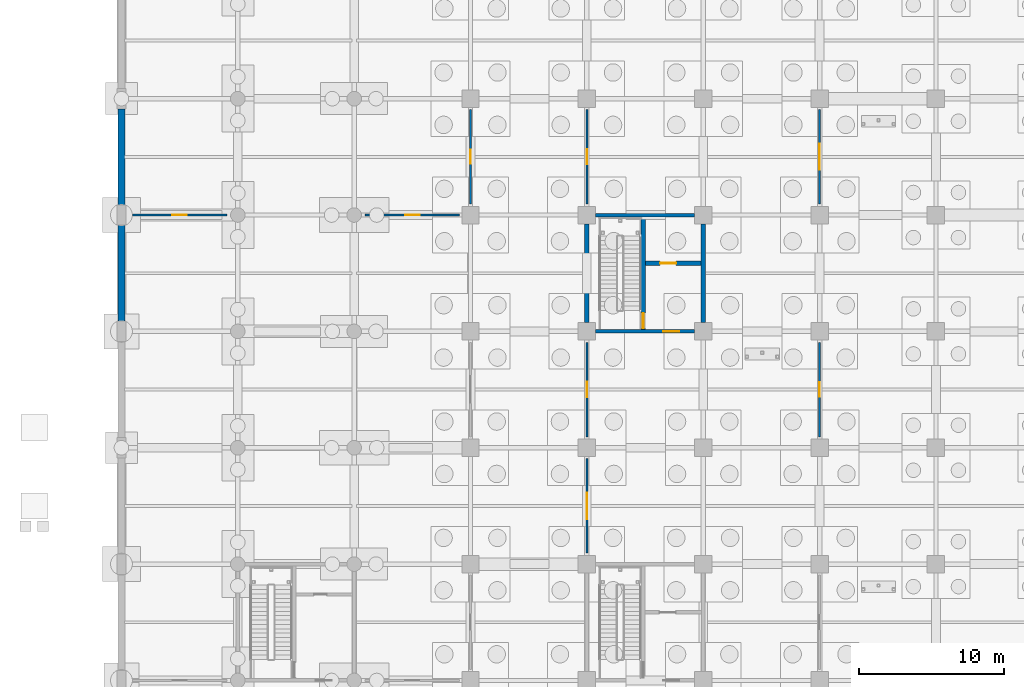
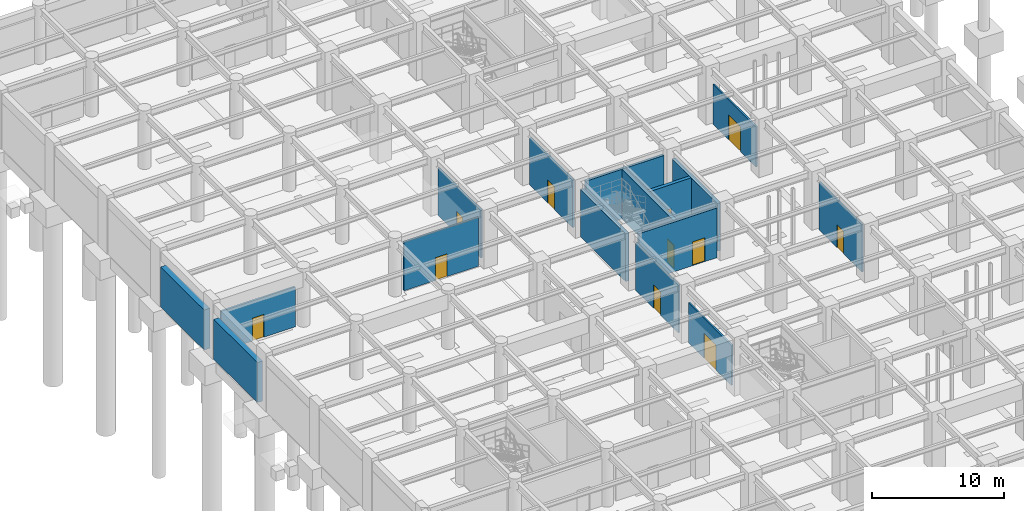
# One storey, part 72 of 97: 16 walls, 11 doors, 11 openings.
"""IFC4 building model written with IfcOpenShell, lengths in metres."""

from ifc_helpers import new_model, si_unit, direction, frame, frame_2d, origin, place, context, subcontext, project, spatial, rectangle, extrude, material, layer, layer_set, type_object, element, fill, save


model = new_model("IFC4")

# Units and contexts
model_context = context("Model", 3, precision=1e-05, world=origin(), true_north=direction((0.0, 1.0)))
body_context = subcontext(model_context, "Body", "Model", "MODEL_VIEW")
ifc_project = project(units=[si_unit("LENGTHUNIT", "METRE"), si_unit("AREAUNIT", "SQUARE_METRE"), si_unit("VOLUMEUNIT", "CUBIC_METRE"), si_unit("PLANEANGLEUNIT", "RADIAN"), si_unit("MASSUNIT", "GRAM", prefix="KILO")], contexts=[model_context])

# Site, building, storey
site_placement = place(None, origin())
site = spatial("IfcSite", under=ifc_project, at=site_placement, CompositionType="ELEMENT")
building_placement = place(site_placement, origin())
building = spatial("IfcBuilding", under=site, at=building_placement, Name="Haebicheon Civic Stadium", CompositionType="ELEMENT")
storey_placement = place(building_placement, frame((0.0, 0.0, -5.39990234375)))
storey = spatial("IfcBuildingStorey", under=building, at=storey_placement, Name="B1", CompositionType="ELEMENT", Elevation=-5.39990234375)

# Wall, opening, door
ifc_material_1 = material(Name="Concrete C40/50", Category="concrete")
ifc_layer_1 = layer(ifc_material_1, 0.239990234375, Name="Concrete C40/50")
ifc_layer_set_1 = layer_set([ifc_layer_1], Name="Concrete C40/50")
wall_type_1 = type_object("IfcWallType", Name="CW-SHR-240", PredefinedType="SHEAR", material=ifc_layer_set_1)
wall_1_placement = place(storey_placement, frame((32.60009765625, 104.0, 0.0), z_axis=(0.0, 0.0, 1.0), x_axis=(1.0, 0.0, 0.0)))
wall_1 = element("IfcWall", 1, at=wall_1_placement, inside=storey, type_object=wall_type_1, material=ifc_layer_set_1, Name="KC-04 B1 south core shear wall", PredefinedType="SHEAR", context=body_context, shape_type="SweptSolid", body=[
    extrude(rectangle(XDim=6.7998046875, YDim=0.239990234375, at=frame_2d((3.39990234375, 0.0))), origin(), (0.0, 0.0, 1.0), 4.58984375),
])
opening_1_placement = place(wall_1_placement, frame((4.64990234375, 0.0, 0.0)))
opening_1 = element("IfcOpeningElement", 2, at=opening_1_placement, cuts=wall_1, Name="Opening D-B1-KC-04-LOB", PredefinedType="OPENING", context=body_context, shape_type="SweptSolid", body=[
    extrude(rectangle(XDim=1.10009765625, YDim=2.199951171875, at=frame_2d((0.550048828125, 1.10009765625))), frame((0.0, 0.1298828125, 0.0), z_axis=(0.0, -1.0, 0.0), x_axis=(1.0, 0.0, 0.0)), (0.0, 0.0, 1.0), 0.260009765625),
])
ifc_material_2 = material(Name="Galvanised painted steel SM355", Category="steel")
door_type_1 = type_object("IfcDoorType", Name="ID-FD-1100", OperationType="NOTDEFINED", PredefinedType="DOOR", material=ifc_material_2)
door_1_placement = place(opening_1_placement, origin())
door_1 = element("IfcDoor", 3, at=door_1_placement, inside=storey, type_object=door_type_1, material=ifc_material_2, Name="B1 KC-04 lobby fire door", OperationType="SINGLE_SWING_RIGHT", OverallHeight=2.199951171875, OverallWidth=1.10009765625, PredefinedType="DOOR", context=body_context, shape_type="SweptSolid", body=[
    extrude(rectangle(XDim=1.10009765625, YDim=2.199951171875, at=frame_2d((0.550048828125, 1.10009765625))), frame((0.0, 0.02490234375, 0.0), z_axis=(0.0, -1.0, 0.0), x_axis=(1.0, 0.0, 0.0)), (0.0, 0.0, 1.0), 0.050048828125),
])
fill(opening_1, door_1)

# Walls
wall_2_placement = place(storey_placement, frame((32.60009765625, 112.0, 0.0), z_axis=(0.0, 0.0, 1.0), x_axis=(1.0, 0.0, 0.0)))
element("IfcWall", 4, at=wall_2_placement, inside=storey, type_object=wall_type_1, material=ifc_layer_set_1, Name="KC-04 B1 north core shear wall", PredefinedType="SHEAR", context=body_context, shape_type="SweptSolid", body=[
    extrude(rectangle(XDim=6.7998046875, YDim=0.239990234375, at=frame_2d((3.39990234375, 0.0))), origin(), (0.0, 0.0, 1.0), 4.58984375),
])
ifc_material_3 = material(Name="Concrete C40/50", Category="concrete")
ifc_layer_2 = layer(ifc_material_3, 0.300048828125, Name="Concrete C40/50")
ifc_layer_set_2 = layer_set([ifc_layer_2], Name="Concrete C40/50")
wall_type_2 = type_object("IfcWallType", Name="CW-SHR-300", PredefinedType="SHEAR", material=ifc_layer_set_2)
for number, where, z_axis, x_axis, name in (
    (5, (32.0, 104.60009765625, 0.0), (0.0, 0.0, 1.0), (0.0, 1.0, 0.0), "KC-04 B1 west core shear wall"),
    (6, (40.0, 104.60009765625, 0.0), (0.0, 0.0, 1.0), (0.0, 1.0, 0.0), "KC-04 B1 east core shear wall"),
):
    element("IfcWall", number, at=place(storey_placement, frame(where, z_axis=z_axis, x_axis=x_axis)), inside=storey, type_object=wall_type_2, material=ifc_layer_set_2, Name=name, PredefinedType="SHEAR", context=body_context, shape_type="SweptSolid", body=[
        extrude(rectangle(XDim=6.7998046875, YDim=0.300048828125, at=frame_2d((3.39990234375, 0.0))), origin(), (0.0, 0.0, 1.0), 4.389892578125),
    ])

# Wall, opening, door
wall_3_placement = place(storey_placement, frame((35.8798828125, 104.1201171875, 0.0), z_axis=(0.0, 0.0, 1.0), x_axis=(0.0, 1.0, 0.0)))
wall_3 = element("IfcWall", 7, at=wall_3_placement, inside=storey, type_object=wall_type_2, material=ifc_layer_set_2, Name="KC-04 B1 stair-lobby dividing shear wall", PredefinedType="SHEAR", context=body_context, shape_type="SweptSolid", body=[
    extrude(rectangle(XDim=7.759765625, YDim=0.300048828125, at=frame_2d((3.8798828125, 0.0))), origin(), (0.0, 0.0, 1.0), 4.58984375),
])
opening_2_placement = place(wall_3_placement, frame((0.080078125, 0.0, 0.0)))
opening_2 = element("IfcOpeningElement", 8, at=opening_2_placement, cuts=wall_3, Name="Opening D-B1-KC-04-STR", PredefinedType="OPENING", context=body_context, shape_type="SweptSolid", body=[
    extrude(rectangle(XDim=1.050048828125, YDim=2.14990234375, at=frame_2d((0.52490234375, 1.074951171875))), frame((0.0, 0.159912109375, 0.0), z_axis=(0.0, -1.0, 0.0), x_axis=(1.0, 0.0, 0.0)), (0.0, 0.0, 1.0), 0.320068359375),
])
ifc_material_4 = material(Name="Galvanised painted steel SM355", Category="steel")
door_type_2 = type_object("IfcDoorType", Name="ID-FD-1050", OperationType="NOTDEFINED", PredefinedType="DOOR", material=ifc_material_4)
door_2_placement = place(opening_2_placement, origin())
door_2 = element("IfcDoor", 9, at=door_2_placement, inside=storey, type_object=door_type_2, material=ifc_material_4, Name="B1 ST-04 stairwell escape door", OperationType="SINGLE_SWING_LEFT", OverallHeight=2.14990234375, OverallWidth=1.050048828125, PredefinedType="DOOR", context=body_context, shape_type="SweptSolid", body=[
    extrude(rectangle(XDim=1.050048828125, YDim=2.14990234375, at=frame_2d((0.52490234375, 1.074951171875))), frame((0.0, 0.02490234375, 0.0), z_axis=(0.0, -1.0, 0.0), x_axis=(1.0, 0.0, 0.0)), (0.0, 0.0, 1.0), 0.050048828125),
])
fill(opening_2, door_2)

wall_4_placement = place(storey_placement, frame((36.030029296875, 108.679931640625, 0.0), z_axis=(0.0, 0.0, 1.0), x_axis=(1.0, 0.0, 0.0)))
wall_4 = element("IfcWall", 10, at=wall_4_placement, inside=storey, type_object=wall_type_2, material=ifc_layer_set_2, Name="KC-04 B1 lift shaft front wall", PredefinedType="SHEAR", context=body_context, shape_type="SweptSolid", body=[
    extrude(rectangle(XDim=3.820068359375, YDim=0.300048828125, at=frame_2d((1.91015625, 0.0))), origin(), (0.0, 0.0, 1.0), 4.389892578125),
])
opening_3_placement = place(wall_4_placement, frame((1.0, 0.0, 0.0)))
opening_3 = element("IfcOpeningElement", 11, at=opening_3_placement, cuts=wall_4, Name="Opening LD-04-B1", PredefinedType="OPENING", context=body_context, shape_type="SweptSolid", body=[
    extrude(rectangle(XDim=1.10009765625, YDim=2.14990234375, at=frame_2d((0.550048828125, 1.074951171875))), frame((0.0, 0.159912109375, 0.0), z_axis=(0.0, -1.0, 0.0), x_axis=(1.0, 0.0, 0.0)), (0.0, 0.0, 1.0), 0.320068359375),
])
ifc_material_5 = material(Name="Stainless steel 316", Category="steel")
door_type_3 = type_object("IfcDoorType", Name="ID-LD-1100", OperationType="NOTDEFINED", PredefinedType="DOOR", material=ifc_material_5)
door_3_placement = place(opening_3_placement, origin())
door_3 = element("IfcDoor", 12, at=door_3_placement, inside=storey, type_object=door_type_3, material=ifc_material_5, Name="LF-04 lift landing sliding door B1", OperationType="SLIDING_TO_LEFT", OverallHeight=2.14990234375, OverallWidth=1.10009765625, PredefinedType="DOOR", context=body_context, shape_type="SweptSolid", body=[
    extrude(rectangle(XDim=1.10009765625, YDim=2.14990234375, at=frame_2d((0.550048828125, 1.074951171875))), frame((0.0, 0.02490234375, 0.0), z_axis=(0.0, -1.0, 0.0), x_axis=(1.0, 0.0, 0.0)), (0.0, 0.0, 1.0), 0.050048828125),
])
fill(opening_3, door_3)

# Walls
ifc_material_6 = material(Name="Concrete C40/50", Category="concrete")
ifc_layer_3 = layer(ifc_material_6, 0.4599609375, Name="Concrete C40/50")
ifc_layer_set_3 = layer_set([ifc_layer_3], Name="Concrete C40/50")
wall_type_3 = type_object("IfcWallType", Name="EW-RET-460", PredefinedType="STANDARD", material=ifc_layer_set_3)
wall_5_placement = place(storey_placement, frame((0.0, 104.699951171875, 0.0), z_axis=(0.0, 0.0, 1.0), x_axis=(0.0, 1.0, 0.0)))
element("IfcWall", 13, at=wall_5_placement, inside=storey, type_object=wall_type_3, material=ifc_layer_set_3, Name="B1 retaining wall 00-13-W", PredefinedType="STANDARD", context=body_context, shape_type="SweptSolid", body=[
    extrude(rectangle(XDim=6.60009765625, YDim=0.4599609375, at=frame_2d((3.300048828125, 0.0))), origin(), (0.0, 0.0, 1.0), 3.68994140625),
])
ifc_material_7 = material(Name="Concrete C40/50", Category="concrete")
ifc_layer_4 = layer(ifc_material_7, 0.5, Name="Concrete C40/50")
ifc_layer_set_4 = layer_set([ifc_layer_4], Name="Concrete C40/50")
wall_type_4 = type_object("IfcWallType", Name="EW-RET-500", PredefinedType="STANDARD", material=ifc_layer_set_4)
wall_6_placement = place(storey_placement, frame((0.0, 112.699951171875, 0.0), z_axis=(0.0, 0.0, 1.0), x_axis=(0.0, 1.0, 0.0)))
element("IfcWall", 14, at=wall_6_placement, inside=storey, type_object=wall_type_4, material=ifc_layer_set_4, Name="B1 retaining wall 00-14-W", PredefinedType="STANDARD", context=body_context, shape_type="SweptSolid", body=[
    extrude(rectangle(XDim=6.60009765625, YDim=0.5, at=frame_2d((3.300048828125, 0.0))), origin(), (0.0, 0.0, 1.0), 3.68994140625),
])

# Wall, opening, door
ifc_material_8 = material(Name="Anodised aluminium acoustic panel", Category="aluminium")
ifc_layer_5 = layer(ifc_material_8, 0.139892578125, Name="Anodised aluminium acoustic panel")
ifc_layer_set_5 = layer_set([ifc_layer_5], Name="Anodised aluminium acoustic panel")
wall_type_5 = type_object("IfcWallType", Name="IW-MOV-140", PredefinedType="MOVABLE", material=ifc_layer_set_5)
wall_7_placement = place(storey_placement, frame((24.0, 112.75, 0.0), z_axis=(0.0, 0.0, 1.0), x_axis=(0.0, 1.0, 0.0)))
wall_7 = element("IfcWall", 15, at=wall_7_placement, inside=storey, type_object=wall_type_5, material=ifc_layer_set_5, Name="B1 Home Team Changing Room partition wall", PredefinedType="MOVABLE", context=body_context, shape_type="SweptSolid", body=[
    extrude(rectangle(XDim=6.5, YDim=0.139892578125, at=frame_2d((3.25, 0.0))), origin(), (0.0, 0.0, 1.0), 4.389892578125),
])
opening_4_placement = place(wall_7_placement, frame((2.77490234375, 0.0, 0.0)))
opening_4 = element("IfcOpeningElement", 16, at=opening_4_placement, cuts=wall_7, Name="Opening D-B1-007", PredefinedType="OPENING", context=body_context, shape_type="SweptSolid", body=[
    extrude(rectangle(XDim=0.949951171875, YDim=2.10009765625, at=frame_2d((0.47509765625, 1.050048828125))), frame((0.0, 0.079833984375, 0.0), z_axis=(0.0, -1.0, 0.0), x_axis=(1.0, 0.0, 0.0)), (0.0, 0.0, 1.0), 0.159912109375),
])
ifc_material_9 = material(Name="Engineered hardwood timber", Category="wood")
door_type_4 = type_object("IfcDoorType", Name="ID-RM-0950", OperationType="NOTDEFINED", PredefinedType="DOOR", material=ifc_material_9)
door_4_placement = place(opening_4_placement, origin())
door_4 = element("IfcDoor", 17, at=door_4_placement, inside=storey, type_object=door_type_4, material=ifc_material_9, Name="B1 Home Team Changing Room entrance door D-B1-007", OperationType="SINGLE_SWING_LEFT", OverallHeight=2.10009765625, OverallWidth=0.949951171875, PredefinedType="DOOR", context=body_context, shape_type="SweptSolid", body=[
    extrude(rectangle(XDim=0.949951171875, YDim=2.10009765625, at=frame_2d((0.47509765625, 1.050048828125))), frame((0.0, 0.02490234375, 0.0), z_axis=(0.0, -1.0, 0.0), x_axis=(1.0, 0.0, 0.0)), (0.0, 0.0, 1.0), 0.050048828125),
])
fill(opening_4, door_4)

wall_8_placement = place(storey_placement, frame((48.0, 96.75, 0.0), z_axis=(0.0, 0.0, 1.0), x_axis=(0.0, 1.0, 0.0)))
wall_8 = element("IfcWall", 18, at=wall_8_placement, inside=storey, type_object=wall_type_5, material=ifc_layer_set_5, Name="B1 Visiting Team Changing Room partition wall", PredefinedType="MOVABLE", context=body_context, shape_type="SweptSolid", body=[
    extrude(rectangle(XDim=6.5, YDim=0.139892578125, at=frame_2d((3.25, 0.0))), origin(), (0.0, 0.0, 1.0), 4.389892578125),
])
opening_5_placement = place(wall_8_placement, frame((2.75, 0.0, 0.0)))
opening_5 = element("IfcOpeningElement", 19, at=opening_5_placement, cuts=wall_8, Name="Opening D-B1-026", PredefinedType="OPENING", context=body_context, shape_type="SweptSolid", body=[
    extrude(rectangle(XDim=1.0, YDim=2.10009765625, at=frame_2d((0.5, 1.050048828125))), frame((0.0, 0.079833984375, 0.0), z_axis=(0.0, -1.0, 0.0), x_axis=(1.0, 0.0, 0.0)), (0.0, 0.0, 1.0), 0.159912109375),
])
ifc_material_10 = material(Name="Engineered hardwood timber", Category="wood")
door_type_5 = type_object("IfcDoorType", Name="ID-RM-1000", OperationType="NOTDEFINED", PredefinedType="DOOR", material=ifc_material_10)
door_5_placement = place(opening_5_placement, origin())
door_5 = element("IfcDoor", 20, at=door_5_placement, inside=storey, type_object=door_type_5, material=ifc_material_10, Name="B1 Visiting Team Changing Room entrance door D-B1-026", OperationType="SINGLE_SWING_RIGHT", OverallHeight=2.10009765625, OverallWidth=1.0, PredefinedType="DOOR", context=body_context, shape_type="SweptSolid", body=[
    extrude(rectangle(XDim=1.0, YDim=2.10009765625, at=frame_2d((0.5, 1.050048828125))), frame((0.0, 0.02490234375, 0.0), z_axis=(0.0, -1.0, 0.0), x_axis=(1.0, 0.0, 0.0)), (0.0, 0.0, 1.0), 0.050048828125),
])
fill(opening_5, door_5)

ifc_material_11 = material(Name="Gypsum plasterboard on steel studs", Category="gypsum")
ifc_layer_6 = layer(ifc_material_11, 0.14990234375, Name="Gypsum plasterboard on steel studs")
ifc_layer_set_6 = layer_set([ifc_layer_6], Name="Gypsum plasterboard on steel studs")
wall_type_6 = type_object("IfcWallType", Name="IW-PRT-150", PredefinedType="PARTITIONING", material=ifc_layer_set_6)
wall_9_placement = place(storey_placement, frame((32.0, 88.75, 0.0), z_axis=(0.0, 0.0, 1.0), x_axis=(0.0, 1.0, 0.0)))
wall_9 = element("IfcWall", 21, at=wall_9_placement, inside=storey, type_object=wall_type_6, material=ifc_layer_set_6, Name="B1 Athlete Indoor Warm-Up Sprint Hall partition wall", PredefinedType="PARTITIONING", context=body_context, shape_type="SweptSolid", body=[
    extrude(rectangle(XDim=6.5, YDim=0.14990234375, at=frame_2d((3.25, 0.0))), origin(), (0.0, 0.0, 1.0), 3.68994140625),
])
opening_6_placement = place(wall_9_placement, frame((2.35009765625, 0.0, 0.0)))
opening_6 = element("IfcOpeningElement", 22, at=opening_6_placement, cuts=wall_9, Name="Opening D-B1-015", PredefinedType="OPENING", context=body_context, shape_type="SweptSolid", body=[
    extrude(rectangle(XDim=1.800048828125, YDim=2.300048828125, at=frame_2d((0.89990234375, 1.14990234375))), frame((0.0, 0.0849609375, 0.0), z_axis=(0.0, -1.0, 0.0), x_axis=(1.0, 0.0, 0.0)), (0.0, 0.0, 1.0), 0.169921875),
])
ifc_material_12 = material(Name="Galvanised painted steel SM355", Category="steel")
door_type_6 = type_object("IfcDoorType", Name="ID-DBL-1800", OperationType="NOTDEFINED", PredefinedType="DOOR", material=ifc_material_12)
door_6_placement = place(opening_6_placement, origin())
door_6 = element("IfcDoor", 23, at=door_6_placement, inside=storey, type_object=door_type_6, material=ifc_material_12, Name="B1 Athlete Indoor Warm-Up Sprint Hall entrance door D-B1-015", OperationType="DOUBLE_SWING_LEFT", OverallHeight=2.300048828125, OverallWidth=1.800048828125, PredefinedType="DOOR", context=body_context, shape_type="SweptSolid", body=[
    extrude(rectangle(XDim=1.800048828125, YDim=2.300048828125, at=frame_2d((0.89990234375, 1.14990234375))), frame((0.0, 0.02490234375, 0.0), z_axis=(0.0, -1.0, 0.0), x_axis=(1.0, 0.0, 0.0)), (0.0, 0.0, 1.0), 0.050048828125),
])
fill(opening_6, door_6)

wall_10_placement = place(storey_placement, frame((32.0, 96.75, 0.0), z_axis=(0.0, 0.0, 1.0), x_axis=(0.0, 1.0, 0.0)))
wall_10 = element("IfcWall", 24, at=wall_10_placement, inside=storey, type_object=wall_type_6, material=ifc_layer_set_6, Name="B1 Match Officials Locker Suite partition wall", PredefinedType="PARTITIONING", context=body_context, shape_type="SweptSolid", body=[
    extrude(rectangle(XDim=6.5, YDim=0.14990234375, at=frame_2d((3.25, 0.0))), origin(), (0.0, 0.0, 1.0), 4.389892578125),
])
opening_7_placement = place(wall_10_placement, frame((2.72509765625, 0.0, 0.0)))
opening_7 = element("IfcOpeningElement", 25, at=opening_7_placement, cuts=wall_10, Name="Opening D-B1-016", PredefinedType="OPENING", context=body_context, shape_type="SweptSolid", body=[
    extrude(rectangle(XDim=1.050048828125, YDim=2.14990234375, at=frame_2d((0.52490234375, 1.074951171875))), frame((0.0, 0.0849609375, 0.0), z_axis=(0.0, -1.0, 0.0), x_axis=(1.0, 0.0, 0.0)), (0.0, 0.0, 1.0), 0.169921875),
])
ifc_material_13 = material(Name="Engineered hardwood timber", Category="wood")
door_type_7 = type_object("IfcDoorType", Name="ID-RM-1050", OperationType="NOTDEFINED", PredefinedType="DOOR", material=ifc_material_13)
door_7_placement = place(opening_7_placement, origin())
door_7 = element("IfcDoor", 26, at=door_7_placement, inside=storey, type_object=door_type_7, material=ifc_material_13, Name="B1 Match Officials Locker Suite entrance door D-B1-016", OperationType="SINGLE_SWING_LEFT", OverallHeight=2.14990234375, OverallWidth=1.050048828125, PredefinedType="DOOR", context=body_context, shape_type="SweptSolid", body=[
    extrude(rectangle(XDim=1.050048828125, YDim=2.14990234375, at=frame_2d((0.52490234375, 1.074951171875))), frame((0.0, 0.02490234375, 0.0), z_axis=(0.0, -1.0, 0.0), x_axis=(1.0, 0.0, 0.0)), (0.0, 0.0, 1.0), 0.050048828125),
])
fill(opening_7, door_7)

wall_11_placement = place(storey_placement, frame((32.0, 112.75, 0.0), z_axis=(0.0, 0.0, 1.0), x_axis=(0.0, 1.0, 0.0)))
wall_11 = element("IfcWall", 27, at=wall_11_placement, inside=storey, type_object=wall_type_6, material=ifc_layer_set_6, Name="B1 Doping Control and Medical Examination Suite partition wall", PredefinedType="PARTITIONING", context=body_context, shape_type="SweptSolid", body=[
    extrude(rectangle(XDim=6.5, YDim=0.14990234375, at=frame_2d((3.25, 0.0))), origin(), (0.0, 0.0, 1.0), 4.389892578125),
])
opening_8_placement = place(wall_11_placement, frame((2.72509765625, 0.0, 0.0)))
opening_8 = element("IfcOpeningElement", 28, at=opening_8_placement, cuts=wall_11, Name="Opening D-B1-017", PredefinedType="OPENING", context=body_context, shape_type="SweptSolid", body=[
    extrude(rectangle(XDim=1.050048828125, YDim=2.14990234375, at=frame_2d((0.52490234375, 1.074951171875))), frame((0.0, 0.0849609375, 0.0), z_axis=(0.0, -1.0, 0.0), x_axis=(1.0, 0.0, 0.0)), (0.0, 0.0, 1.0), 0.169921875),
])
door_8_placement = place(opening_8_placement, origin())
door_8 = element("IfcDoor", 29, at=door_8_placement, inside=storey, type_object=door_type_7, material=ifc_material_13, Name="B1 Doping Control and Medical Examination Suite entrance door D-B1-017", OperationType="SINGLE_SWING_RIGHT", OverallHeight=2.14990234375, OverallWidth=1.050048828125, PredefinedType="DOOR", context=body_context, shape_type="SweptSolid", body=[
    extrude(rectangle(XDim=1.050048828125, YDim=2.14990234375, at=frame_2d((0.52490234375, 1.074951171875))), frame((0.0, 0.02490234375, 0.0), z_axis=(0.0, -1.0, 0.0), x_axis=(1.0, 0.0, 0.0)), (0.0, 0.0, 1.0), 0.050048828125),
])
fill(opening_8, door_8)

wall_12_placement = place(storey_placement, frame((48.0, 112.75, 0.0), z_axis=(0.0, 0.0, 1.0), x_axis=(0.0, 1.0, 0.0)))
wall_12 = element("IfcWall", 30, at=wall_12_placement, inside=storey, type_object=wall_type_6, material=ifc_layer_set_6, Name="B1 Athlete Indoor Warm-Up Sprint Hall partition wall", PredefinedType="PARTITIONING", context=body_context, shape_type="SweptSolid", body=[
    extrude(rectangle(XDim=6.5, YDim=0.14990234375, at=frame_2d((3.25, 0.0))), origin(), (0.0, 0.0, 1.0), 3.68994140625),
])
opening_9_placement = place(wall_12_placement, frame((2.35009765625, 0.0, 0.0)))
opening_9 = element("IfcOpeningElement", 31, at=opening_9_placement, cuts=wall_12, Name="Opening D-B1-027", PredefinedType="OPENING", context=body_context, shape_type="SweptSolid", body=[
    extrude(rectangle(XDim=1.800048828125, YDim=2.300048828125, at=frame_2d((0.89990234375, 1.14990234375))), frame((0.0, 0.0849609375, 0.0), z_axis=(0.0, -1.0, 0.0), x_axis=(1.0, 0.0, 0.0)), (0.0, 0.0, 1.0), 0.169921875),
])
door_9_placement = place(opening_9_placement, origin())
door_9 = element("IfcDoor", 32, at=door_9_placement, inside=storey, type_object=door_type_6, material=ifc_material_12, Name="B1 Athlete Indoor Warm-Up Sprint Hall entrance door D-B1-027", OperationType="DOUBLE_SWING_LEFT", OverallHeight=2.300048828125, OverallWidth=1.800048828125, PredefinedType="DOOR", context=body_context, shape_type="SweptSolid", body=[
    extrude(rectangle(XDim=1.800048828125, YDim=2.300048828125, at=frame_2d((0.89990234375, 1.14990234375))), frame((0.0, 0.02490234375, 0.0), z_axis=(0.0, -1.0, 0.0), x_axis=(1.0, 0.0, 0.0)), (0.0, 0.0, 1.0), 0.050048828125),
])
fill(opening_9, door_9)

ifc_material_14 = material(Name="Concrete C35/45", Category="concrete")
ifc_layer_7 = layer(ifc_material_14, 0.159912109375, Name="Concrete C35/45")
ifc_layer_set_7 = layer_set([ifc_layer_7], Name="Concrete C35/45")
wall_type_7 = type_object("IfcWallType", Name="IW-PRT-160", PredefinedType="PARTITIONING", material=ifc_layer_set_7)
wall_13_placement = place(storey_placement, frame((0.75, 112.0, 0.0), z_axis=(0.0, 0.0, 1.0), x_axis=(1.0, 0.0, 0.0)))
wall_13 = element("IfcWall", 33, at=wall_13_placement, inside=storey, type_object=wall_type_7, material=ifc_layer_set_7, Name="B1 Bicycle Parking and Locker Store partition wall", PredefinedType="PARTITIONING", context=body_context, shape_type="SweptSolid", body=[
    extrude(rectangle(XDim=6.5, YDim=0.159912109375, at=frame_2d((3.25, 0.0))), origin(), (0.0, 0.0, 1.0), 3.68994140625),
])
opening_10_placement = place(wall_13_placement, frame((2.75, 0.0, 0.0)))
opening_10 = element("IfcOpeningElement", 34, at=opening_10_placement, cuts=wall_13, Name="Opening D-B1-098", PredefinedType="OPENING", context=body_context, shape_type="SweptSolid", body=[
    extrude(rectangle(XDim=1.0, YDim=2.10009765625, at=frame_2d((0.5, 1.050048828125))), frame((0.0, 0.08984375, 0.0), z_axis=(0.0, -1.0, 0.0), x_axis=(1.0, 0.0, 0.0)), (0.0, 0.0, 1.0), 0.179931640625),
])
door_10_placement = place(opening_10_placement, origin())
door_10 = element("IfcDoor", 35, at=door_10_placement, inside=storey, type_object=door_type_5, material=ifc_material_10, Name="B1 Bicycle Parking and Locker Store entrance door D-B1-098", OperationType="SINGLE_SWING_RIGHT", OverallHeight=2.10009765625, OverallWidth=1.0, PredefinedType="DOOR", context=body_context, shape_type="SweptSolid", body=[
    extrude(rectangle(XDim=1.0, YDim=2.10009765625, at=frame_2d((0.5, 1.050048828125))), frame((0.0, 0.02490234375, 0.0), z_axis=(0.0, -1.0, 0.0), x_axis=(1.0, 0.0, 0.0)), (0.0, 0.0, 1.0), 0.050048828125),
])
fill(opening_10, door_10)

wall_14_placement = place(storey_placement, frame((16.75, 112.0, 0.0), z_axis=(0.0, 0.0, 1.0), x_axis=(1.0, 0.0, 0.0)))
wall_14 = element("IfcWall", 36, at=wall_14_placement, inside=storey, type_object=wall_type_7, material=ifc_layer_set_7, Name="B1 Bicycle Parking and Locker Store partition wall", PredefinedType="PARTITIONING", context=body_context, shape_type="SweptSolid", body=[
    extrude(rectangle(XDim=6.5, YDim=0.159912109375, at=frame_2d((3.25, 0.0))), origin(), (0.0, 0.0, 1.0), 4.489990234375),
])
opening_11_placement = place(wall_14_placement, frame((2.75, 0.0, 0.0)))
opening_11 = element("IfcOpeningElement", 37, at=opening_11_placement, cuts=wall_14, Name="Opening D-B1-102", PredefinedType="OPENING", context=body_context, shape_type="SweptSolid", body=[
    extrude(rectangle(XDim=1.0, YDim=2.10009765625, at=frame_2d((0.5, 1.050048828125))), frame((0.0, 0.08984375, 0.0), z_axis=(0.0, -1.0, 0.0), x_axis=(1.0, 0.0, 0.0)), (0.0, 0.0, 1.0), 0.179931640625),
])
door_11_placement = place(opening_11_placement, origin())
door_11 = element("IfcDoor", 38, at=door_11_placement, inside=storey, type_object=door_type_5, material=ifc_material_10, Name="B1 Bicycle Parking and Locker Store entrance door D-B1-102", OperationType="SINGLE_SWING_RIGHT", OverallHeight=2.10009765625, OverallWidth=1.0, PredefinedType="DOOR", context=body_context, shape_type="SweptSolid", body=[
    extrude(rectangle(XDim=1.0, YDim=2.10009765625, at=frame_2d((0.5, 1.050048828125))), frame((0.0, 0.02490234375, 0.0), z_axis=(0.0, -1.0, 0.0), x_axis=(1.0, 0.0, 0.0)), (0.0, 0.0, 1.0), 0.050048828125),
])
fill(opening_11, door_11)

save(model, "model.ifc")
